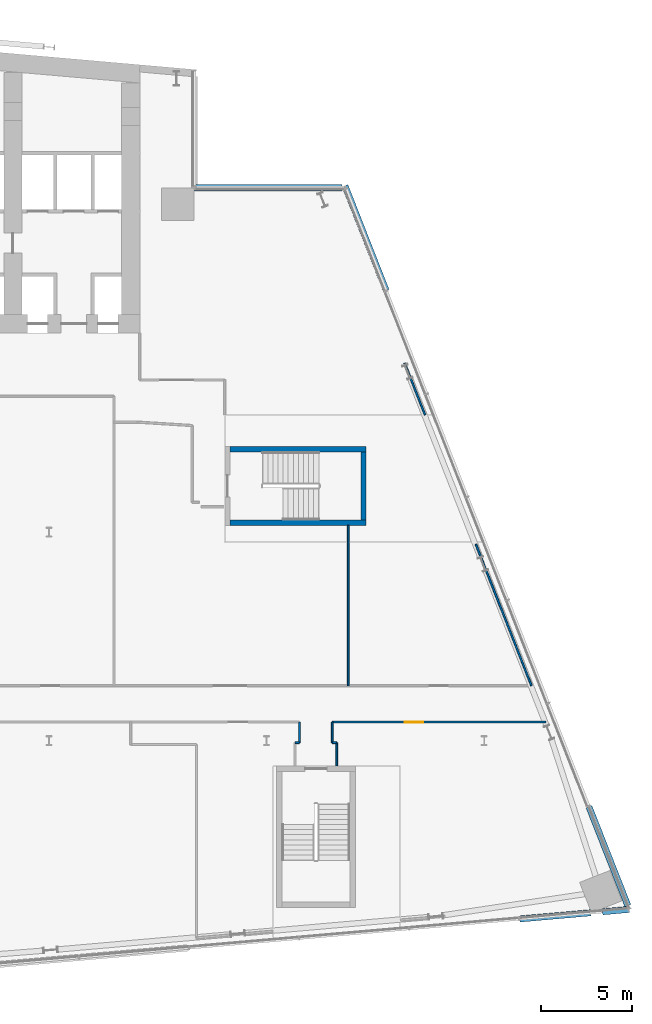
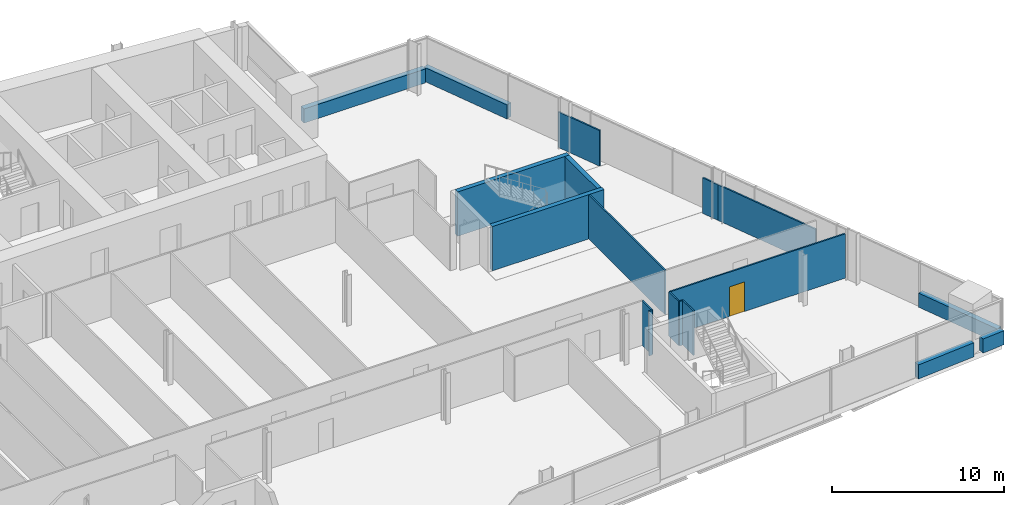
# One storey, part 20 of 25: 18 walls, 1 door, 1 opening.
"""IFC4 building model written with IfcOpenShell, lengths in metres."""

from ifc_helpers import new_model, si_unit, direction, frame, frame_2d, origin, place, context, subcontext, project, spatial, rectangle, extrude, material, layer, layer_set, type_object, element, fill, save


model = new_model("IFC4")

# Units and contexts
model_context = context("Model", 3, precision=1e-05, world=origin(), true_north=direction((0.0, 1.0)))
body_context = subcontext(model_context, "Body", "Model", "MODEL_VIEW")
ifc_project = project(units=[si_unit("LENGTHUNIT", "METRE"), si_unit("AREAUNIT", "SQUARE_METRE"), si_unit("VOLUMEUNIT", "CUBIC_METRE"), si_unit("PLANEANGLEUNIT", "RADIAN"), si_unit("MASSUNIT", "GRAM", prefix="KILO")], contexts=[model_context])

# Site, building, storey
site_placement = place(None, origin())
site = spatial("IfcSite", under=ifc_project, at=site_placement, CompositionType="ELEMENT")
building_placement = place(site_placement, origin())
building = spatial("IfcBuilding", under=site, at=building_placement, Name="Wharfspan Tower", CompositionType="ELEMENT")
storey_placement = place(building_placement, frame((0.0, 0.0, 143.5)))
storey = spatial("IfcBuildingStorey", under=building, at=storey_placement, Name="L34", CompositionType="ELEMENT", Elevation=143.5)

# Walls
ifc_material_1 = material(Name="Gypsum board on steel studs", Category="steel")
ifc_layer_1 = layer(ifc_material_1, 0.100098)
ifc_layer_set_1 = layer_set([ifc_layer_1], Name="Gypsum board on steel studs")
wall_type_1 = type_object("IfcWallType", Name="Compartment wall 100 EI 60", PredefinedType="PARTITIONING", material=ifc_layer_set_1)
wall_1_placement = place(storey_placement, frame((73.570068, 11.39502, 0.0), z_axis=(0.0, 0.0, 1.0), x_axis=(1.0, 0.0, 0.0)))
element("IfcWall", 1, at=wall_1_placement, inside=storey, type_object=wall_type_1, Name="Partition L34.w048", PredefinedType="PARTITIONING", context=body_context, shape_type="SweptSolid", body=[
    extrude(rectangle(XDim=0.23999, YDim=0.100098, at=frame_2d((0.120117, 0.0))), origin(), (0.0, 0.0, 1.0), 3.149902),
])
for number, where, z_axis, x_axis, name in (
    (2, (73.814941, 11.399902, 0.0), (0.0, 0.0, 1.0), (0.0, 1.0, 0.0), "Partition L34.w049"),
    (3, (75.61499, 11.399902, 0.0), (0.0, 0.0, 1.0), (0.0, 1.0, 0.0), "Partition L34.w050"),
):
    element("IfcWall", number, at=place(storey_placement, frame(where, z_axis=z_axis, x_axis=x_axis)), inside=storey, type_object=wall_type_1, Name=name, PredefinedType="PARTITIONING", context=body_context, shape_type="SweptSolid", body=[
        extrude(rectangle(XDim=1.125, YDim=0.100098, at=frame_2d((0.5625, 0.0))), origin(), (0.0, 0.0, 1.0), 3.149902),
    ])
wall_2_placement = place(storey_placement, frame((75.620117, 11.39502, 0.0), z_axis=(0.0, 0.0, 1.0), x_axis=(1.0, 0.0, 0.0)))
element("IfcWall", 4, at=wall_2_placement, inside=storey, type_object=wall_type_1, Name="Partition L34.w051", PredefinedType="PARTITIONING", context=body_context, shape_type="SweptSolid", body=[
    extrude(rectangle(XDim=0.23999, YDim=0.100098, at=frame_2d((0.120117, 0.0))), origin(), (0.0, 0.0, 1.0), 3.149902),
])

# Wall, opening, door
wall_3_placement = place(storey_placement, frame((75.620117, 12.530029, 0.0), z_axis=(0.0, 0.0, 1.0), x_axis=(1.0, 0.0, 0.0)))
wall_3 = element("IfcWall", 5, at=wall_3_placement, inside=storey, type_object=wall_type_1, Name="Partition L34.w052", PredefinedType="PARTITIONING", context=body_context, shape_type="SweptSolid", body=[
    extrude(rectangle(XDim=11.774902, YDim=0.100098, at=frame_2d((5.887451, 0.0))), origin(), (0.0, 0.0, 1.0), 3.149902),
])
opening_placement = place(wall_3_placement, frame((4.007812, 0.0, 0.0)))
opening = element("IfcOpeningElement", 6, at=opening_placement, cuts=wall_3, Name="Opening B6-05", PredefinedType="OPENING", context=body_context, shape_type="SweptSolid", body=[
    extrude(rectangle(XDim=1.0, YDim=2.100098, at=frame_2d((0.5, 1.050049))), frame((0.0, 0.060059, 0.0), z_axis=(0.0, -1.0, 0.0), x_axis=(1.0, 0.0, 0.0)), (0.0, 0.0, 1.0), 0.120117),
])
ifc_material_2 = material(Name="Fire-rated timber door leaf in steel frame", Category="steel")
door_type = type_object("IfcDoorType", Name="Door 1000 FD30S Left", OperationType="SINGLE_SWING_LEFT", PredefinedType="DOOR", material=ifc_material_2)
door_placement = place(opening_placement, origin())
door = element("IfcDoor", 7, at=door_placement, inside=storey, type_object=door_type, Name="Door B6-05", OperationType="SINGLE_SWING_LEFT", OverallHeight=2.100098, OverallWidth=1.0, PredefinedType="DOOR", context=body_context, shape_type="SweptSolid", body=[
    extrude(rectangle(XDim=1.0, YDim=2.100098, at=frame_2d((0.5, 1.050049))), frame((0.0, 0.024902, 0.0), z_axis=(0.0, -1.0, 0.0), x_axis=(1.0, 0.0, 0.0)), (0.0, 0.0, 1.0), 0.050049),
])
fill(opening, door)

# Walls
wall_4_placement = place(storey_placement, frame((75.86499, 10.114746, 0.0), z_axis=(0.0, 0.0, 1.0), x_axis=(0.0, 1.0, 0.0)))
element("IfcWall", 8, at=wall_4_placement, inside=storey, type_object=wall_type_1, Name="Partition L34.w053", PredefinedType="PARTITIONING", context=body_context, shape_type="SweptSolid", body=[
    extrude(rectangle(XDim=1.270264, YDim=0.100098, at=frame_2d((0.635254, 0.0))), origin(), (0.0, 0.0, 1.0), 3.149902),
])
wall_5_placement = place(storey_placement, frame((76.5, 14.530029, 0.0), z_axis=(0.0, 0.0, 1.0), x_axis=(0.0, 1.0, 0.0)))
element("IfcWall", 9, at=wall_5_placement, inside=storey, type_object=wall_type_1, Name="Partition L34.w054", PredefinedType="PARTITIONING", context=body_context, shape_type="SweptSolid", body=[
    extrude(rectangle(XDim=8.844971, YDim=0.100098, at=frame_2d((4.422363, 0.0))), origin(), (0.0, 0.0, 1.0), 3.149902),
])
wall_6_placement = place(storey_placement, frame((86.610107, 14.530029, 0.0), z_axis=(0.0, 0.0, 1.0), x_axis=(-0.366129, 0.930561, 0.0)))
element("IfcWall", 10, at=wall_6_placement, inside=storey, type_object=wall_type_1, Name="Partition L34.w058", PredefinedType="PARTITIONING", context=body_context, shape_type="SweptSolid", body=[
    extrude(rectangle(XDim=7.225586, YDim=0.100098, at=frame_2d((3.612793, 0.0))), origin(), (0.0, 0.0, 1.0), 2.530029),
])
ifc_layer_2 = layer(ifc_material_1, 0.100098)
ifc_layer_set_2 = layer_set([ifc_layer_2], Name="Gypsum board on steel studs")
wall_type_2 = type_object("IfcWallType", Name="Partition 100", PredefinedType="PARTITIONING", material=ifc_layer_set_2)
wall_7_placement = place(storey_placement, frame((80.737061, 29.469971, 0.0), z_axis=(0.0, 0.0, 1.0), x_axis=(-0.366592, 0.930378, 0.0)))
element("IfcWall", 11, at=wall_7_placement, inside=storey, type_object=wall_type_2, Name="Partition L34.w056", PredefinedType="PARTITIONING", context=body_context, shape_type="SweptSolid", body=[
    extrude(rectangle(XDim=3.074219, YDim=0.100098, at=frame_2d((1.537109, 0.0))), origin(), (0.0, 0.0, 1.0), 2.530029),
])
wall_8_placement = place(storey_placement, frame((83.959961, 21.264893, 0.0), z_axis=(0.0, 0.0, 1.0), x_axis=(-0.364889, 0.931052, 0.0)))
element("IfcWall", 12, at=wall_8_placement, inside=storey, type_object=wall_type_2, Name="Partition L34.w057", PredefinedType="PARTITIONING", context=body_context, shape_type="SweptSolid", body=[
    extrude(rectangle(XDim=1.147461, YDim=0.100098, at=frame_2d((0.57373, 0.0))), origin(), (0.0, 0.0, 1.0), 2.530029),
])
ifc_material_3 = material(Name="Concrete C40/50", Category="concrete")
ifc_layer_3 = layer(ifc_material_3, 0.350098)
ifc_layer_set_3 = layer_set([ifc_layer_3], Name="Concrete C40/50")
wall_type_3 = type_object("IfcWallType", Name="SPANDREL EXPOSED CONCRETE 350", PredefinedType="SOLIDWALL", material=ifc_layer_set_3)
wall_9_placement = place(storey_placement, frame((85.958984, 1.666504, 0.0), z_axis=(0.0, 0.0, 1.0), x_axis=(0.996194, 0.087167, 0.0)))
element("IfcWall", 13, at=wall_9_placement, inside=storey, type_object=wall_type_3, Name="Spandrel upstand L34 S2 2", PredefinedType="SOLIDWALL", context=body_context, shape_type="SweptSolid", body=[
    extrude(rectangle(XDim=3.921143, YDim=0.350098, at=frame_2d((1.960449, 0.0))), origin(), (0.0, 0.0, 1.0), 1.0),
])
wall_10_placement = place(storey_placement, frame((90.5271, 2.066162, 0.0), z_axis=(0.0, 0.0, 1.0), x_axis=(0.996198, 0.087157, 0.0)))
element("IfcWall", 14, at=wall_10_placement, inside=storey, type_object=wall_type_3, Name="Spandrel upstand L34 S2 3", PredefinedType="SOLIDWALL", context=body_context, shape_type="SweptSolid", body=[
    extrude(rectangle(XDim=1.479004, YDim=0.350098, at=frame_2d((0.739502, 0.0))), origin(), (0.0, 0.0, 1.0), 1.0),
])
wall_11_placement = place(storey_placement, frame((91.921387, 2.413574, 0.0), z_axis=(0.0, 0.0, 1.0), x_axis=(-0.36578, 0.930701, 0.0)))
element("IfcWall", 15, at=wall_11_placement, inside=storey, type_object=wall_type_3, Name="Spandrel upstand L34 E 1", PredefinedType="SOLIDWALL", context=body_context, shape_type="SweptSolid", body=[
    extrude(rectangle(XDim=5.851562, YDim=0.350098, at=frame_2d((2.925781, 0.0))), origin(), (0.0, 0.0, 1.0), 1.0),
])
wall_12_placement = place(storey_placement, frame((78.586426, 36.343994, 0.0), z_axis=(0.0, 0.0, 1.0), x_axis=(-0.365792, 0.930699, 0.0)))
element("IfcWall", 16, at=wall_12_placement, inside=storey, type_object=wall_type_3, Name="Spandrel upstand L34 E 2", PredefinedType="SOLIDWALL", context=body_context, shape_type="SweptSolid", body=[
    extrude(rectangle(XDim=6.20166, YDim=0.350098, at=frame_2d((3.10083, 0.0))), origin(), (0.0, 0.0, 1.0), 1.0),
])
wall_13_placement = place(storey_placement, frame((76.155029, 42.004883, 0.0), z_axis=(0.0, 0.0, 1.0), x_axis=(-1.0, 0.0, 0.0)))
element("IfcWall", 17, at=wall_13_placement, inside=storey, type_object=wall_type_3, Name="Spandrel upstand L34 NRE-H", PredefinedType="SOLIDWALL", context=body_context, shape_type="SweptSolid", body=[
    extrude(rectangle(XDim=8.155029, YDim=0.350098, at=frame_2d((4.077637, 0.0))), origin(), (0.0, 0.0, 1.0), 1.0),
])
ifc_layer_4 = layer(ifc_material_3, 0.300049)
ifc_layer_set_4 = layer_set([ifc_layer_4], Name="Concrete C40/50")
wall_type_4 = type_object("IfcWallType", Name="Stair core wall 300", PredefinedType="SHEAR", material=ifc_layer_set_4)
for number, where, z_axis, x_axis, name in (
    (18, (69.990479, 23.524902, 0.0), (0.0, 0.0, 1.0), (1.0, 0.0, 0.0), "ST6 stair enclosure wall L34"),
    (19, (69.990479, 27.574951, 0.0), (0.0, 0.0, 1.0), (1.0, 0.0, 0.0), "ST6 stair enclosure wall L34"),
):
    element("IfcWall", number, at=place(storey_placement, frame(where, z_axis=z_axis, x_axis=x_axis)), inside=storey, type_object=wall_type_4, Name=name, PredefinedType="SHEAR", context=body_context, shape_type="SweptSolid", body=[
        extrude(rectangle(XDim=7.5, YDim=0.300049, at=frame_2d((3.75, 0.0))), origin(), (0.0, 0.0, 1.0), 3.149902),
    ])
wall_14_placement = place(storey_placement, frame((77.340332, 23.675049, 0.0), z_axis=(0.0, 0.0, 1.0), x_axis=(0.0, 1.0, 0.0)))
element("IfcWall", 20, at=wall_14_placement, inside=storey, type_object=wall_type_4, Name="ST6 stair enclosure wall L34", PredefinedType="SHEAR", context=body_context, shape_type="SweptSolid", body=[
    extrude(rectangle(XDim=3.75, YDim=0.300049, at=frame_2d((1.875, 0.0))), origin(), (0.0, 0.0, 1.0), 3.149902),
])

save(model, "model.ifc")
